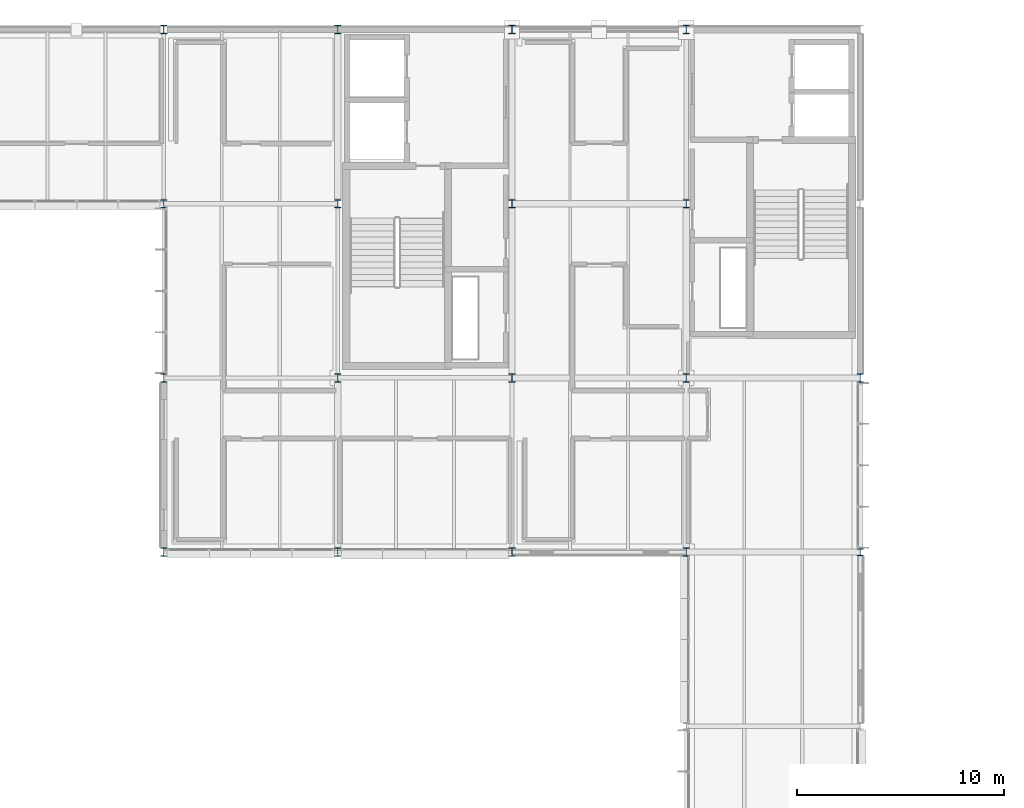
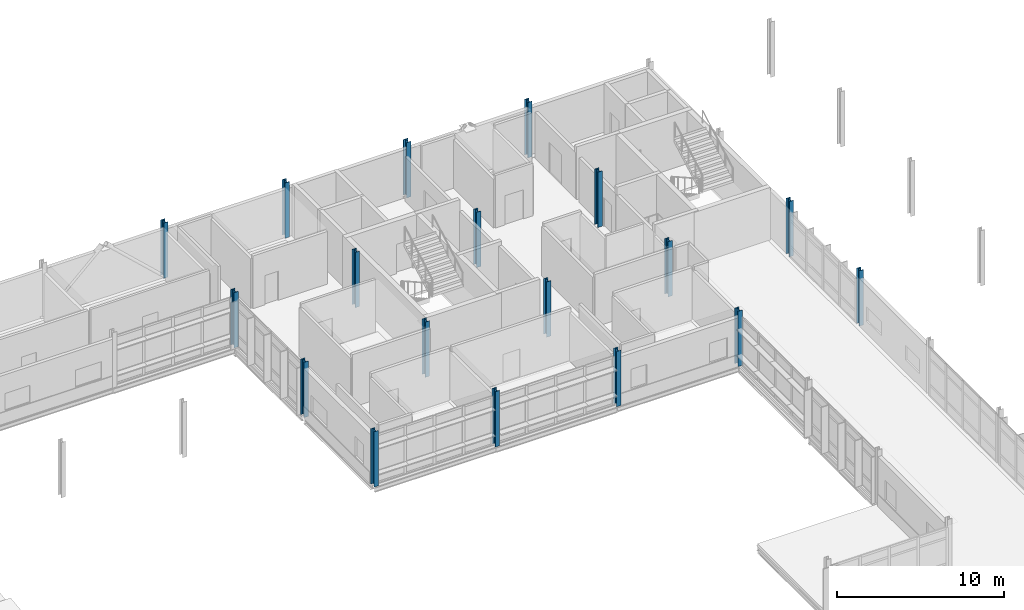
# One storey, part 5 of 66: 18 columns.
"""IFC4 building model written with IfcOpenShell, lengths in metres."""

import ifcopenshell
import ifcopenshell.guid

model = None  # the IFC model being written
_history = None  # IfcOwnerHistory: only IFC2X3 demands one
_inside = {}  # id of a spatial element -> (the spatial element, [elements in it])
_under = {}  # id of a project, library or spatial element -> (it, [spatial elements below it])
_declared = {}  # id of a project -> (the project, [libraries it declares])
_typed = {}  # id of a type object -> (the type object, [elements of that type])
_made_of = {}  # id of a material, layer set ... -> (it, [elements and type objects made of it])


def new_model(schema):
    """Start an empty IFC model of exactly this schema.

    Asked for "IFC4X3", IfcOpenShell would pick the latest addendum, in which some entities
    have other attributes; the version numbers below select the first issue.
    IFC2X3 requires an IfcOwnerHistory on every rooted entity: one is made here for all.
    """
    global model, _history
    if schema == "IFC4X3":
        model = ifcopenshell.file(schema_version=(4, 3, 0, 0))
    else:
        model = ifcopenshell.file(schema=schema)
    _inside.clear()
    _under.clear()
    _declared.clear()
    _typed.clear()
    _made_of.clear()
    _history = None
    if model.schema == "IFC2X3":
        org = make("IfcOrganization", Name="unknown")
        user = make(
            "IfcPersonAndOrganization",
            ThePerson=make("IfcPerson", FamilyName="unknown"),
            TheOrganization=org,
        )
        app = make(
            "IfcApplication",
            ApplicationDeveloper=org,
            Version="unknown",
            ApplicationFullName="unknown",
            ApplicationIdentifier="unknown",
        )
        _history = make(
            "IfcOwnerHistory",
            OwningUser=user,
            OwningApplication=app,
            ChangeAction="ADDED",
            CreationDate=0,
        )
    return model


def make(cls, **values):
    """One entity of the class cls with the attributes given. An attribute that is None is left unset."""
    return model.create_entity(
        cls, **{name: value for name, value in values.items() if value is not None}
    )


def rooted(cls, **values):
    """An entity with a GlobalId (a new one), such as an element, a storey or a relation."""
    return make(cls, GlobalId=ifcopenshell.guid.new(), OwnerHistory=_history, **values)


def si_unit(unit_type, name, prefix=None):
    """IfcSIUnit, for example si_unit("LENGTHUNIT", "METRE", prefix="MILLI")."""
    return make("IfcSIUnit", UnitType=unit_type, Prefix=prefix, Name=name)


def assignment(units):
    """IfcUnitAssignment: the units of a project."""
    return None if units is None else make("IfcUnitAssignment", Units=units)


def point(xyz):
    """IfcCartesianPoint."""
    return None if xyz is None else make("IfcCartesianPoint", Coordinates=xyz)


def direction(xyz):
    """IfcDirection."""
    return None if xyz is None else make("IfcDirection", DirectionRatios=xyz)


def frame(location, z_axis=None, x_axis=None):
    """IfcAxis2Placement3D, a coordinate frame: its origin and axes. An axis left out is left unset."""
    return make(
        "IfcAxis2Placement3D",
        Location=point(location),
        Axis=direction(z_axis),
        RefDirection=direction(x_axis),
    )


def frame_2d(location, x_axis=None):
    """IfcAxis2Placement2D, a coordinate frame in the plane: its origin and x axis."""
    return make(
        "IfcAxis2Placement2D", Location=point(location), RefDirection=direction(x_axis)
    )


def origin():
    """The frame at (0, 0, 0) with its axes left unset."""
    return frame((0.0, 0.0, 0.0))


def origin_2d():
    """The frame at (0, 0) in the plane with its x axis left unset."""
    return frame_2d((0.0, 0.0))


def place(relative_to, where):
    """IfcLocalPlacement: puts the frame where relative to a parent placement (None: the world)."""
    return make(
        "IfcLocalPlacement", PlacementRelTo=relative_to, RelativePlacement=where
    )


def context(
    kind, dimensions, precision=None, world=None, true_north=None, identifier=None
):
    """IfcGeometricRepresentationContext, for example the 3D "Model" context."""
    return make(
        "IfcGeometricRepresentationContext",
        ContextIdentifier=identifier,
        ContextType=kind,
        CoordinateSpaceDimension=dimensions,
        Precision=precision,
        WorldCoordinateSystem=world,
        TrueNorth=true_north,
    )


def subcontext(parent, identifier, kind, view, scale=None):
    """IfcGeometricRepresentationSubContext, for example "Body" below "Model"."""
    return make(
        "IfcGeometricRepresentationSubContext",
        ContextIdentifier=identifier,
        ContextType=kind,
        ParentContext=parent,
        TargetScale=scale,
        TargetView=view,
    )


def project(units=None, contexts=None):
    """IfcProject with its units and contexts."""
    return rooted(
        "IfcProject",
        Name="project",
        RepresentationContexts=contexts,
        UnitsInContext=assignment(units),
    )


def spatial(cls, under=None, at=None, **own):
    """A site, building, storey or space (cls), placed at a placement, below another one or the project."""
    s = rooted(cls, ObjectPlacement=at, **own)
    if under is not None:
        _under.setdefault(under.id(), (under, []))[1].append(s)
    return s


def profile(cls, at=None, kind="AREA", **sizes):
    """A parametric profile (cls). Its sizes go by their IFC names, for example OverallWidth=200.0."""
    return make(cls, ProfileType=kind, Position=at, **sizes)


def i_section(**sizes):
    """IfcIShapeProfileDef."""
    return profile("IfcIShapeProfileDef", **sizes)


def extrude(swept, where, along, depth):
    """IfcExtrudedAreaSolid: the profile swept, set in the frame where, extruded along a direction by depth."""
    return make(
        "IfcExtrudedAreaSolid",
        SweptArea=swept,
        Position=where,
        ExtrudedDirection=direction(along),
        Depth=depth,
    )


def shape(context_of_items, identifier, shape_type, items):
    """IfcShapeRepresentation: the items that make up one representation, for example the "Body"."""
    return make(
        "IfcShapeRepresentation",
        ContextOfItems=context_of_items,
        RepresentationIdentifier=identifier,
        RepresentationType=shape_type,
        Items=items,
    )


def material(Name=None, Category=None):
    """IfcMaterial."""
    return make("IfcMaterial", Name=Name, Category=Category)


def material_profile(
    of_material, cross_section, Name=None, Category=None, Priority=None
):
    """IfcMaterialProfile: a cross section and its material."""
    return make(
        "IfcMaterialProfile",
        Name=Name,
        Material=of_material,
        Profile=cross_section,
        Priority=Priority,
        Category=Category,
    )


def profile_set(profiles, Name=None, composite=None):
    """IfcMaterialProfileSet."""
    return make(
        "IfcMaterialProfileSet",
        Name=Name,
        MaterialProfiles=profiles,
        CompositeProfile=composite,
    )


def made_of(thing, what):
    """Note that an element or type object is made of a material, layer set ...; save() writes the relation."""
    if what is not None:
        _made_of.setdefault(what.id(), (what, []))[1].append(thing)
    return thing


def type_object(cls, material=None, **own):
    """A type object (cls), such as IfcWallType, which elements share."""
    return made_of(rooted(cls, **own), material)


def element(
    cls,
    number,
    at=None,
    inside=None,
    cuts=None,
    type_object=None,
    material=None,
    context=None,
    identifier="Body",
    shape_type=None,
    held_by="IfcProductDefinitionShape",
    body=None,
    shapes=None,
    **own,
):
    """One element of the class cls, such as IfcWall. Its Tag is "e" and its number.

    at: its placement. inside: the storey or other place that contains it. cuts: it is an
    opening in that element (IfcRelVoidsElement). A single representation is given by context,
    identifier, shape_type and body (its items); several are given by shapes. held_by: the class
    of the entity that holds the representations. save() writes the other relations.
    """
    e = rooted(cls, Tag="e%d" % number, ObjectPlacement=at, **own)
    if body is not None:
        shapes = [shape(context, identifier, shape_type, body)]
    if shapes is not None:
        e.Representation = make(held_by, Representations=shapes)
    if inside is not None:
        _inside.setdefault(inside.id(), (inside, []))[1].append(e)
    if cuts is not None:
        rooted(
            "IfcRelVoidsElement", RelatingBuildingElement=cuts, RelatedOpeningElement=e
        )
    if type_object is not None:
        _typed.setdefault(type_object.id(), (type_object, []))[1].append(e)
    return made_of(e, material)


def aggregate(whole, parts):
    """IfcRelAggregates: a whole, such as a stair, and the parts it consists of."""
    return rooted("IfcRelAggregates", RelatingObject=whole, RelatedObjects=parts)


def save(model, path):
    """Write the relations noted so far, then the file.

    IfcRelAggregates (storeys below a building ...), IfcRelContainedInSpatialStructure (elements
    in a storey), IfcRelDefinesByType, IfcRelAssociatesMaterial and IfcRelDeclares: one each for
    every whole, place, type object, material and project.
    """
    for whole, parts in _under.values():
        aggregate(whole, parts)
    for where, things in _inside.values():
        rooted(
            "IfcRelContainedInSpatialStructure",
            RelatedElements=things,
            RelatingStructure=where,
        )
    for kind, things in _typed.values():
        rooted("IfcRelDefinesByType", RelatedObjects=things, RelatingType=kind)
    for what, things in _made_of.values():
        rooted("IfcRelAssociatesMaterial", RelatedObjects=things, RelatingMaterial=what)
    for by, libraries in _declared.values():
        rooted("IfcRelDeclares", RelatingContext=by, RelatedDefinitions=libraries)
    model.write(path)


model = new_model("IFC4")

# Units and contexts
model_context = context("Model", 3, precision=1e-05, world=origin(), true_north=direction((0.0, 1.0)))
body_context = subcontext(model_context, "Body", "Model", "MODEL_VIEW")
ifc_project = project(units=[si_unit("LENGTHUNIT", "METRE"), si_unit("AREAUNIT", "SQUARE_METRE"), si_unit("VOLUMEUNIT", "CUBIC_METRE"), si_unit("PLANEANGLEUNIT", "RADIAN"), si_unit("MASSUNIT", "GRAM", prefix="KILO")], contexts=[model_context])

# Site, building, storey
site_placement = place(None, origin())
site = spatial("IfcSite", under=ifc_project, at=site_placement, CompositionType="ELEMENT")
building_placement = place(site_placement, origin())
building = spatial("IfcBuilding", under=site, at=building_placement, Name="Mersafa Astral City Hall", CompositionType="ELEMENT")
storey_placement = place(building_placement, frame((0.0, 0.0, 22.050048828125)))
storey = spatial("IfcBuildingStorey", under=building, at=storey_placement, Name="L05", CompositionType="ELEMENT", Elevation=22.050048828125)

# Columns
ifc_material = material(Name="Steel S355", Category="steel")
ifc_material_profile_1 = material_profile(ifc_material, i_section(OverallWidth=0.300048828125, OverallDepth=0.340087890625, WebThickness=0.011962890625, FlangeThickness=0.021484375, FilletRadius=0.027099609375, at=origin_2d()), Name="HEB 340")
ifc_profile_set_1 = profile_set([ifc_material_profile_1], Name="Steel S355")
column_type_1 = type_object("IfcColumnType", Name="STR-COL-HEB340", PredefinedType="COLUMN", material=ifc_profile_set_1)
column_placement = place(storey_placement, frame((176.39990234375, 100.800048828125, 0.0), z_axis=(0.0, 0.0, 1.0), x_axis=(1.0, 0.0, 0.0)))
element("IfcColumn", 1, at=column_placement, inside=storey, type_object=column_type_1, Name="L05 Structural column G-21-12", PredefinedType="COLUMN", context=body_context, shape_type="SweptSolid", body=[
    extrude(i_section(OverallWidth=0.300048828125, OverallDepth=0.340087890625, WebThickness=0.011962890625, FlangeThickness=0.021484375, FilletRadius=0.027099609375, at=origin_2d()), origin(), (0.0, 0.0, 1.0), 4.050048828125),
])
ifc_material_profile_2 = material_profile(ifc_material, i_section(OverallWidth=0.300048828125, OverallDepth=0.39990234375, WebThickness=0.013427734375, FlangeThickness=0.02392578125, FilletRadius=0.027099609375, at=origin_2d()), Name="HEB 400")
ifc_profile_set_2 = profile_set([ifc_material_profile_2], Name="Steel S355")
column_type_2 = type_object("IfcColumnType", Name="STR-COL-HEB400", PredefinedType="COLUMN", material=ifc_profile_set_2)
for number, where, z_axis, x_axis, name in (
    (2, (142.800048828125, 100.800048828125, 0.0), (0.0, 0.0, 1.0), (1.0, 0.0, 0.0), "L05 Structural column G-17-12"),
    (3, (142.800048828125, 109.199951171875, 0.0), (0.0, 0.0, 1.0), (1.0, 0.0, 0.0), "L05 Structural column G-17-13"),
    (4, (142.800048828125, 117.60009765625, 0.0), (0.0, 0.0, 1.0), (1.0, 0.0, 0.0), "L05 Structural column G-17-14"),
    (5, (142.800048828125, 126.0, 0.0), (0.0, 0.0, 1.0), (1.0, 0.0, 0.0), "L05 Structural column G-17-15"),
    (6, (151.199951171875, 100.800048828125, 0.0), (0.0, 0.0, 1.0), (1.0, 0.0, 0.0), "L05 Structural column G-18-12"),
    (7, (151.199951171875, 109.199951171875, 0.0), (0.0, 0.0, 1.0), (1.0, 0.0, 0.0), "L05 Structural column G-18-13"),
    (8, (151.199951171875, 117.60009765625, 0.0), (0.0, 0.0, 1.0), (1.0, 0.0, 0.0), "L05 Structural column G-18-14"),
    (9, (151.199951171875, 126.0, 0.0), (0.0, 0.0, 1.0), (1.0, 0.0, 0.0), "L05 Structural column G-18-15"),
    (10, (159.60009765625, 100.800048828125, 0.0), (0.0, 0.0, 1.0), (1.0, 0.0, 0.0), "L05 Structural column G-19-12"),
    (11, (159.60009765625, 109.199951171875, 0.0), (0.0, 0.0, 1.0), (1.0, 0.0, 0.0), "L05 Structural column G-19-13"),
    (12, (159.60009765625, 117.60009765625, 0.0), (0.0, 0.0, 1.0), (1.0, 0.0, 0.0), "L05 Structural column G-19-14"),
    (13, (159.60009765625, 126.0, 0.0), (0.0, 0.0, 1.0), (1.0, 0.0, 0.0), "L05 Structural column G-19-15"),
    (14, (168.0, 100.800048828125, 0.0), (0.0, 0.0, 1.0), (1.0, 0.0, 0.0), "L05 Structural column G-20-12"),
    (15, (168.0, 109.199951171875, 0.0), (0.0, 0.0, 1.0), (1.0, 0.0, 0.0), "L05 Structural column G-20-13"),
    (16, (168.0, 117.60009765625, 0.0), (0.0, 0.0, 1.0), (1.0, 0.0, 0.0), "L05 Structural column G-20-14"),
    (17, (168.0, 126.0, 0.0), (0.0, 0.0, 1.0), (1.0, 0.0, 0.0), "L05 Structural column G-20-15"),
    (18, (176.39990234375, 109.199951171875, 0.0), (0.0, 0.0, 1.0), (1.0, 0.0, 0.0), "L05 Structural column G-21-13"),
):
    element("IfcColumn", number, at=place(storey_placement, frame(where, z_axis=z_axis, x_axis=x_axis)), inside=storey, type_object=column_type_2, Name=name, PredefinedType="COLUMN", context=body_context, shape_type="SweptSolid", body=[
        extrude(i_section(OverallWidth=0.300048828125, OverallDepth=0.39990234375, WebThickness=0.013427734375, FlangeThickness=0.02392578125, FilletRadius=0.027099609375, at=origin_2d()), origin(), (0.0, 0.0, 1.0), 4.050048828125),
    ])

save(model, "model.ifc")
